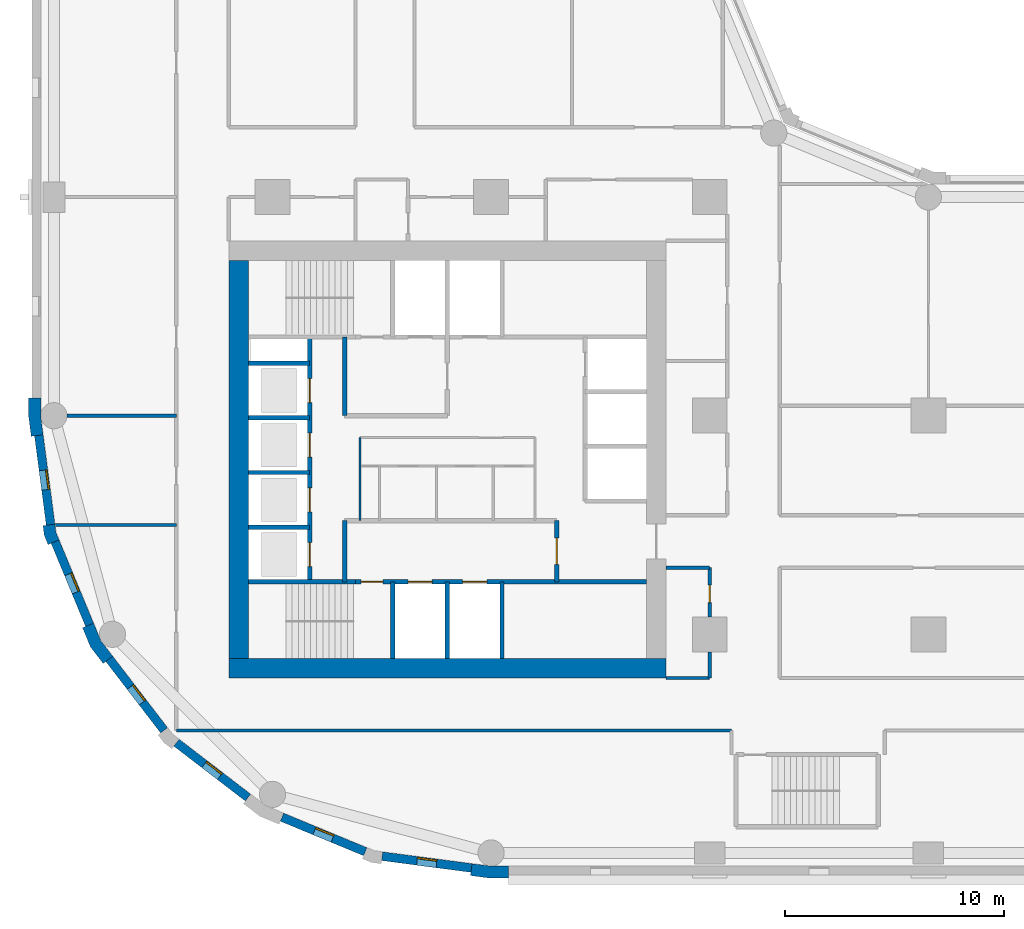
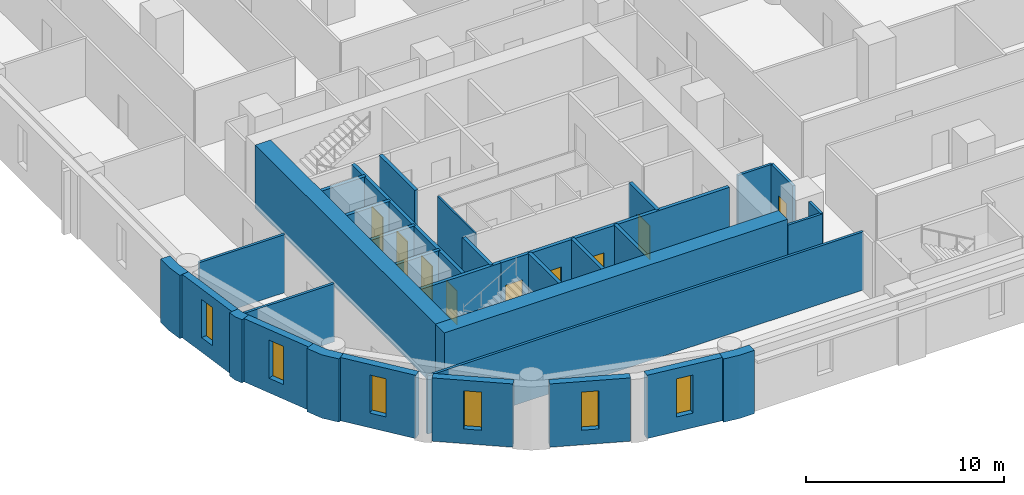
# One storey, part 2 of 10: 33 walls, 9 doors, 6 windows, 15 openings.
"""IFC4 building model written with IfcOpenShell, lengths in metres."""

from ifc_helpers import new_model, si_unit, direction, frame, frame_2d, origin, place, context, subcontext, project, spatial, polyline, rectangle, outline, extrude, material, layer, layer_set, type_object, element, fill, save


model = new_model("IFC4")

# Units and contexts
model_context = context("Model", 3, precision=1e-05, world=origin(), true_north=direction((0.0, 1.0)))
body_context = subcontext(model_context, "Body", "Model", "MODEL_VIEW")
ifc_project = project(units=[si_unit("LENGTHUNIT", "METRE"), si_unit("AREAUNIT", "SQUARE_METRE"), si_unit("VOLUMEUNIT", "CUBIC_METRE"), si_unit("PLANEANGLEUNIT", "RADIAN"), si_unit("MASSUNIT", "GRAM", prefix="KILO")], contexts=[model_context])

# Site, building, storey
site_placement = place(None, origin())
site = spatial("IfcSite", under=ifc_project, at=site_placement, CompositionType="ELEMENT")
building_placement = place(site_placement, origin())
building = spatial("IfcBuilding", under=site, at=building_placement, Name="Qaws Garden Tower", CompositionType="ELEMENT")
storey_placement = place(building_placement, frame((0.0, 0.0, 70.5)))
storey = spatial("IfcBuildingStorey", under=building, at=storey_placement, Name="L17", CompositionType="ELEMENT", Elevation=70.5)

# Wall, opening, window
ifc_material_1 = material(Name="Clay facing brick masonry", Category="masonry")
ifc_layer_1 = layer(ifc_material_1, 0.39990234375)
ifc_layer_set_1 = layer_set([ifc_layer_1], Name="Clay facing brick masonry")
wall_type_1 = type_object("IfcWallType", Name="Brick infill wall 400", PredefinedType="SOLIDWALL", material=ifc_layer_set_1)
wall_1_placement = place(storey_placement, frame((-0.688720703125, 19.102294921875, 0.0), z_axis=(0.0, 0.0, 1.0), x_axis=(0.130514280502, -0.991446429508, 0.0)))
wall_1 = element("IfcWall", 1, at=wall_1_placement, inside=storey, type_object=wall_type_1, Name="E-L17-infill-27", PredefinedType="SOLIDWALL", context=body_context, shape_type="SweptSolid", body=[
    extrude(rectangle(XDim=4.120849609375, YDim=0.39990234375, at=frame_2d((2.060546875, 0.0))), origin(), (0.0, 0.0, 1.0), 3.89990234375),
])
opening_1_placement = place(wall_1_placement, frame((1.610595703125, 0.0, 0.89990234375)))
opening_1 = element("IfcOpeningElement", 2, at=opening_1_placement, cuts=wall_1, Name="Opening W09", PredefinedType="OPENING", context=body_context, shape_type="SweptSolid", body=[
    extrude(rectangle(XDim=0.89990234375, YDim=2.35009765625, at=frame_2d((0.449951171875, 1.175048828125))), frame((0.0, 0.2099609375, 0.0), z_axis=(0.0, -1.0, 0.0), x_axis=(1.0, 0.0, 0.0)), (0.0, 0.0, 1.0), 0.419921875),
])
ifc_material_2 = material(Name="Aluminium framed window, clear glazing", Category="aluminium")
window_type = type_object("IfcWindowType", Name="Slit window 900 x 2350", PartitioningType="SINGLE_PANEL", PredefinedType="WINDOW", material=ifc_material_2)
window_1_placement = place(opening_1_placement, origin())
window_1 = element("IfcWindow", 3, at=window_1_placement, inside=storey, type_object=window_type, Name="E-L17-window-27-0", OverallHeight=2.35009765625, OverallWidth=0.89990234375, PartitioningType="SINGLE_PANEL", PredefinedType="WINDOW", context=body_context, shape_type="SweptSolid", body=[
    extrude(rectangle(XDim=0.89990234375, YDim=2.35009765625, at=frame_2d((0.449951171875, 1.175048828125))), frame((0.0, 0.159912109375, 0.0), z_axis=(0.0, -1.0, 0.0), x_axis=(1.0, 0.0, 0.0)), (0.0, 0.0, 1.0), 0.06005859375),
])
fill(opening_1, window_1)

wall_2_placement = place(storey_placement, frame((0.05712890625, 14.240234375, 0.0), z_axis=(0.0, 0.0, 1.0), x_axis=(0.382721546029, -0.923863744394, 0.0)))
wall_2 = element("IfcWall", 4, at=wall_2_placement, inside=storey, type_object=wall_type_1, Name="E-L17-infill-28", PredefinedType="SOLIDWALL", context=body_context, shape_type="SweptSolid", body=[
    extrude(rectangle(XDim=4.120849609375, YDim=0.39990234375, at=frame_2d((2.060546875, 0.0))), origin(), (0.0, 0.0, 1.0), 3.89990234375),
])
opening_2_placement = place(wall_2_placement, frame((1.610595703125, 0.0, 0.89990234375)))
opening_2 = element("IfcOpeningElement", 5, at=opening_2_placement, cuts=wall_2, Name="Opening W09", PredefinedType="OPENING", context=body_context, shape_type="SweptSolid", body=[
    extrude(rectangle(XDim=0.89990234375, YDim=2.35009765625, at=frame_2d((0.449951171875, 1.175048828125))), frame((0.0, 0.2099609375, 0.0), z_axis=(0.0, -1.0, 0.0), x_axis=(1.0, 0.0, 0.0)), (0.0, 0.0, 1.0), 0.419921875),
])
window_2_placement = place(opening_2_placement, origin())
window_2 = element("IfcWindow", 6, at=window_2_placement, inside=storey, type_object=window_type, Name="E-L17-window-28-0", OverallHeight=2.35009765625, OverallWidth=0.89990234375, PartitioningType="SINGLE_PANEL", PredefinedType="WINDOW", context=body_context, shape_type="SweptSolid", body=[
    extrude(rectangle(XDim=0.89990234375, YDim=2.35009765625, at=frame_2d((0.449951171875, 1.175048828125))), frame((0.0, 0.159912109375, 0.0), z_axis=(0.0, -1.0, 0.0), x_axis=(1.0, 0.0, 0.0)), (0.0, 0.0, 1.0), 0.06005859375),
])
fill(opening_2, window_2)

wall_3_placement = place(storey_placement, frame((2.53173828125, 8.87841796875, 0.0), z_axis=(0.0, 0.0, 1.0), x_axis=(0.608759824817, -0.793354571229, 0.0)))
wall_3 = element("IfcWall", 7, at=wall_3_placement, inside=storey, type_object=wall_type_1, Name="E-L17-infill-29", PredefinedType="SOLIDWALL", context=body_context, shape_type="SweptSolid", body=[
    extrude(rectangle(XDim=4.12109375, YDim=0.39990234375, at=frame_2d((2.060546875, 0.0))), origin(), (0.0, 0.0, 1.0), 3.89990234375),
])
opening_3_placement = place(wall_3_placement, frame((1.610595703125, 0.0, 0.89990234375)))
opening_3 = element("IfcOpeningElement", 8, at=opening_3_placement, cuts=wall_3, Name="Opening W09", PredefinedType="OPENING", context=body_context, shape_type="SweptSolid", body=[
    extrude(rectangle(XDim=0.89990234375, YDim=2.35009765625, at=frame_2d((0.449951171875, 1.175048828125))), frame((0.0, 0.2099609375, 0.0), z_axis=(0.0, -1.0, 0.0), x_axis=(1.0, 0.0, 0.0)), (0.0, 0.0, 1.0), 0.419921875),
])
window_3_placement = place(opening_3_placement, origin())
window_3 = element("IfcWindow", 9, at=window_3_placement, inside=storey, type_object=window_type, Name="E-L17-window-29-0", OverallHeight=2.35009765625, OverallWidth=0.89990234375, PartitioningType="SINGLE_PANEL", PredefinedType="WINDOW", context=body_context, shape_type="SweptSolid", body=[
    extrude(rectangle(XDim=0.89990234375, YDim=2.35009765625, at=frame_2d((0.449951171875, 1.175048828125))), frame((0.0, 0.159912109375, 0.0), z_axis=(0.0, -1.0, 0.0), x_axis=(1.0, 0.0, 0.0)), (0.0, 0.0, 1.0), 0.06005859375),
])
fill(opening_3, window_3)

wall_4_placement = place(storey_placement, frame((5.60888671875, 5.04052734375, 0.0), z_axis=(0.0, 0.0, 1.0), x_axis=(0.793354571229, -0.608759824817, 0.0)))
wall_4 = element("IfcWall", 10, at=wall_4_placement, inside=storey, type_object=wall_type_1, Name="E-L17-infill-30", PredefinedType="SOLIDWALL", context=body_context, shape_type="SweptSolid", body=[
    extrude(rectangle(XDim=4.12109375, YDim=0.39990234375, at=frame_2d((2.060546875, 0.0))), origin(), (0.0, 0.0, 1.0), 3.89990234375),
])
opening_4_placement = place(wall_4_placement, frame((1.610595703125, 0.0, 0.89990234375)))
opening_4 = element("IfcOpeningElement", 11, at=opening_4_placement, cuts=wall_4, Name="Opening W09", PredefinedType="OPENING", context=body_context, shape_type="SweptSolid", body=[
    extrude(rectangle(XDim=0.89990234375, YDim=2.35009765625, at=frame_2d((0.449951171875, 1.175048828125))), frame((0.0, 0.2099609375, 0.0), z_axis=(0.0, -1.0, 0.0), x_axis=(1.0, 0.0, 0.0)), (0.0, 0.0, 1.0), 0.419921875),
])
window_4_placement = place(opening_4_placement, origin())
window_4 = element("IfcWindow", 12, at=window_4_placement, inside=storey, type_object=window_type, Name="E-L17-window-30-0", OverallHeight=2.35009765625, OverallWidth=0.89990234375, PartitioningType="SINGLE_PANEL", PredefinedType="WINDOW", context=body_context, shape_type="SweptSolid", body=[
    extrude(rectangle(XDim=0.89990234375, YDim=2.35009765625, at=frame_2d((0.449951171875, 1.175048828125))), frame((0.0, 0.159912109375, 0.0), z_axis=(0.0, -1.0, 0.0), x_axis=(1.0, 0.0, 0.0)), (0.0, 0.0, 1.0), 0.06005859375),
])
fill(opening_4, window_4)

wall_5_placement = place(storey_placement, frame((10.43310546875, 1.63427734375, 0.0), z_axis=(0.0, 0.0, 1.0), x_axis=(0.923863744394, -0.382721546029, 0.0)))
wall_5 = element("IfcWall", 13, at=wall_5_placement, inside=storey, type_object=wall_type_1, Name="E-L17-infill-31", PredefinedType="SOLIDWALL", context=body_context, shape_type="SweptSolid", body=[
    extrude(rectangle(XDim=4.120849609375, YDim=0.39990234375, at=frame_2d((2.060546875, 0.0))), origin(), (0.0, 0.0, 1.0), 3.89990234375),
])
opening_5_placement = place(wall_5_placement, frame((1.610595703125, 0.0, 0.89990234375)))
opening_5 = element("IfcOpeningElement", 14, at=opening_5_placement, cuts=wall_5, Name="Opening W09", PredefinedType="OPENING", context=body_context, shape_type="SweptSolid", body=[
    extrude(rectangle(XDim=0.89990234375, YDim=2.35009765625, at=frame_2d((0.449951171875, 1.175048828125))), frame((0.0, 0.2099609375, 0.0), z_axis=(0.0, -1.0, 0.0), x_axis=(1.0, 0.0, 0.0)), (0.0, 0.0, 1.0), 0.419921875),
])
window_5_placement = place(opening_5_placement, origin())
window_5 = element("IfcWindow", 15, at=window_5_placement, inside=storey, type_object=window_type, Name="E-L17-window-31-0", OverallHeight=2.35009765625, OverallWidth=0.89990234375, PartitioningType="SINGLE_PANEL", PredefinedType="WINDOW", context=body_context, shape_type="SweptSolid", body=[
    extrude(rectangle(XDim=0.89990234375, YDim=2.35009765625, at=frame_2d((0.449951171875, 1.175048828125))), frame((0.0, 0.159912109375, 0.0), z_axis=(0.0, -1.0, 0.0), x_axis=(1.0, 0.0, 0.0)), (0.0, 0.0, 1.0), 0.06005859375),
])
fill(opening_5, window_5)

wall_6_placement = place(storey_placement, frame((15.0166015625, -0.15087890625, 0.0), z_axis=(0.0, 0.0, 1.0), x_axis=(0.991446429508, -0.130514280502, 0.0)))
wall_6 = element("IfcWall", 16, at=wall_6_placement, inside=storey, type_object=wall_type_1, Name="E-L17-infill-32", PredefinedType="SOLIDWALL", context=body_context, shape_type="SweptSolid", body=[
    extrude(rectangle(XDim=4.120849609375, YDim=0.39990234375, at=frame_2d((2.060546875, 0.0))), origin(), (0.0, 0.0, 1.0), 3.89990234375),
])
opening_6_placement = place(wall_6_placement, frame((1.610595703125, 0.0, 0.89990234375)))
opening_6 = element("IfcOpeningElement", 17, at=opening_6_placement, cuts=wall_6, Name="Opening W09", PredefinedType="OPENING", context=body_context, shape_type="SweptSolid", body=[
    extrude(rectangle(XDim=0.89990234375, YDim=2.35009765625, at=frame_2d((0.449951171875, 1.175048828125))), frame((0.0, 0.2099609375, 0.0), z_axis=(0.0, -1.0, 0.0), x_axis=(1.0, 0.0, 0.0)), (0.0, 0.0, 1.0), 0.419921875),
])
window_6_placement = place(opening_6_placement, origin())
window_6 = element("IfcWindow", 18, at=window_6_placement, inside=storey, type_object=window_type, Name="E-L17-window-32-0", OverallHeight=2.35009765625, OverallWidth=0.89990234375, PartitioningType="SINGLE_PANEL", PredefinedType="WINDOW", context=body_context, shape_type="SweptSolid", body=[
    extrude(rectangle(XDim=0.89990234375, YDim=2.35009765625, at=frame_2d((0.449951171875, 1.175048828125))), frame((0.0, 0.159912109375, 0.0), z_axis=(0.0, -1.0, 0.0), x_axis=(1.0, 0.0, 0.0)), (0.0, 0.0, 1.0), 0.06005859375),
])
fill(opening_6, window_6)

# Walls
ifc_material_3 = material(Name="Clay facing brick masonry", Category="masonry")
ifc_layer_2 = layer(ifc_material_3, 0.550048828125)
ifc_layer_set_2 = layer_set([ifc_layer_2], Name="Clay facing brick masonry")
wall_type_2 = type_object("IfcWallType", Name="Brick kink pier 550 x 600", PredefinedType="SOLIDWALL", material=ifc_layer_set_2)
placement = place(storey_placement, origin())
element("IfcWall", 19, at=placement, inside=storey, type_object=wall_type_2, Name="E-L17-pier-28", PredefinedType="SOLIDWALL", context=body_context, shape_type="SweptSolid", body=[
    extrude(outline(polyline([(-0.34912109375, 14.990478515625), (-0.497802734375, 14.970947265625), (-0.43896484375, 14.5234375), (-0.26611328125, 14.1064453125), (-0.127685546875, 14.163818359375), (0.241943359375, 14.31689453125), (0.096923828125, 14.6669921875), (0.04736328125, 15.042724609375), (-0.34912109375, 14.990478515625)])), origin(), (0.0, 0.0, 1.0), 3.89990234375),
])
ifc_material_4 = material(Name="Clay facing brick masonry", Category="masonry")
ifc_layer_3 = layer(ifc_material_4, 0.550048828125)
ifc_layer_set_3 = layer_set([ifc_layer_3], Name="Clay facing brick masonry")
wall_type_3 = type_object("IfcWallType", Name="Brick pier 550 x 1600", PredefinedType="SOLIDWALL", material=ifc_layer_set_3)
element("IfcWall", 20, at=placement, inside=storey, type_object=wall_type_3, Name="E-L17-pier-00", PredefinedType="SOLIDWALL", context=body_context, shape_type="SweptSolid", body=[
    extrude(outline(polyline([(19.076416015625, -0.886962890625), (19.056640625, -1.03564453125), (19.924560546875, -1.14990234375), (20.800048828125, -1.14990234375), (20.800048828125, -1.0), (20.800048828125, -0.60009765625), (19.960693359375, -0.60009765625), (19.12841796875, -0.490478515625), (19.076416015625, -0.886962890625)])), origin(), (0.0, 0.0, 1.0), 3.89990234375),
])
element("IfcWall", 21, at=placement, inside=storey, type_object=wall_type_3, Name="E-L17-pier-27", PredefinedType="SOLIDWALL", context=body_context, shape_type="SweptSolid", body=[
    extrude(outline(polyline([(-1.0, 20.800048828125), (-1.14990234375, 20.800048828125), (-1.14990234375, 19.924560546875), (-1.03564453125, 19.056640625), (-0.886962890625, 19.076416015625), (-0.490478515625, 19.12841796875), (-0.60009765625, 19.960693359375), (-0.60009765625, 20.800048828125), (-1.0, 20.800048828125)])), origin(), (0.0, 0.0, 1.0), 3.89990234375),
])
element("IfcWall", 22, at=placement, inside=storey, type_object=wall_type_3, Name="E-L17-pier-29", PredefinedType="SOLIDWALL", context=body_context, shape_type="SweptSolid", body=[
    extrude(outline(polyline([(1.449462890625, 10.3564453125), (1.310791015625, 10.299072265625), (1.675048828125, 9.419921875), (2.254150390625, 8.665283203125), (2.373046875, 8.756591796875), (2.6904296875, 9.0), (2.1552734375, 9.697509765625), (1.819091796875, 10.509521484375), (1.449462890625, 10.3564453125)])), origin(), (0.0, 0.0, 1.0), 3.89990234375),
])
ifc_material_5 = material(Name="Plasterboard")
ifc_layer_4 = layer(ifc_material_5, 0.10009765625)
ifc_layer_set_4 = layer_set([ifc_layer_4], Name="Plasterboard")
wall_type_4 = type_object("IfcWallType", Name="Core partition 100", PredefinedType="PARTITIONING", material=ifc_layer_set_4)
wall_11_placement = place(storey_placement, frame((14.0, 15.199951171875, 0.0), z_axis=(0.0, 0.0, 1.0), x_axis=(0.0, 1.0, 0.0)))
element("IfcWall", 23, at=wall_11_placement, inside=storey, type_object=wall_type_4, Name="Core partition", PredefinedType="PARTITIONING", context=body_context, shape_type="SweptSolid", body=[
    extrude(rectangle(XDim=3.800048828125, YDim=0.10009765625, at=frame_2d((1.89990234375, 0.0))), origin(), (0.0, 0.0, 1.0), 3.580078125),
])
ifc_material_6 = material(Name="Concrete C80", Category="concrete")
ifc_layer_5 = layer(ifc_material_6, 0.199951171875)
ifc_layer_set_5 = layer_set([ifc_layer_5], Name="Concrete C80")
wall_type_5 = type_object("IfcWallType", Name="Core shaft wall 200 C80", PredefinedType="SHEAR", material=ifc_layer_set_5)
wall_12_placement = place(storey_placement, frame((8.89990234375, 12.39990234375, 0.0), z_axis=(0.0, 0.0, 1.0), x_axis=(1.0, 0.0, 0.0)))
element("IfcWall", 24, at=wall_12_placement, inside=storey, type_object=wall_type_5, Name="Shaft wall", PredefinedType="SHEAR", context=body_context, shape_type="SweptSolid", body=[
    extrude(rectangle(XDim=4.900146484375, YDim=0.199951171875, at=frame_2d((2.4501953125, 0.0))), origin(), (0.0, 0.0, 1.0), 3.580078125),
])

# Wall, openings, doors
wall_13_placement = place(storey_placement, frame((13.800048828125, 12.39990234375, 0.0), z_axis=(0.0, 0.0, 1.0), x_axis=(1.0, 0.0, 0.0)))
wall_13 = element("IfcWall", 25, at=wall_13_placement, inside=storey, type_object=wall_type_5, Name="Shaft wall", PredefinedType="SHEAR", context=body_context, shape_type="SweptSolid", body=[
    extrude(rectangle(XDim=13.300048828125, YDim=0.199951171875, at=frame_2d((6.64990234375, 0.0))), origin(), (0.0, 0.0, 1.0), 3.580078125),
])
opening_7_placement = place(wall_13_placement, frame((2.39990234375, 0.0, 0.0)))
opening_7 = element("IfcOpeningElement", 26, at=opening_7_placement, cuts=wall_13, Name="Opening LD06", PredefinedType="OPENING", context=body_context, shape_type="SweptSolid", body=[
    extrude(rectangle(XDim=1.10009765625, YDim=2.10009765625, at=frame_2d((0.550048828125, 1.050048828125))), frame((0.0, 0.10986328125, 0.0), z_axis=(0.0, -1.0, 0.0), x_axis=(1.0, 0.0, 0.0)), (0.0, 0.0, 1.0), 0.219970703125),
])
opening_8_placement = place(wall_13_placement, frame((4.89990234375, 0.0, 0.0)))
opening_8 = element("IfcOpeningElement", 27, at=opening_8_placement, cuts=wall_13, Name="Opening LD07", PredefinedType="OPENING", context=body_context, shape_type="SweptSolid", body=[
    extrude(rectangle(XDim=1.10009765625, YDim=2.10009765625, at=frame_2d((0.550048828125, 1.050048828125))), frame((0.0, 0.10986328125, 0.0), z_axis=(0.0, -1.0, 0.0), x_axis=(1.0, 0.0, 0.0)), (0.0, 0.0, 1.0), 0.219970703125),
])
opening_9_placement = place(wall_13_placement, frame((0.25, 0.0, 0.0)))
opening_9 = element("IfcOpeningElement", 28, at=opening_9_placement, cuts=wall_13, Name="Opening SD10", PredefinedType="OPENING", context=body_context, shape_type="SweptSolid", body=[
    extrude(rectangle(XDim=1.0, YDim=2.10009765625, at=frame_2d((0.5, 1.050048828125))), frame((0.0, 0.10986328125, 0.0), z_axis=(0.0, -1.0, 0.0), x_axis=(1.0, 0.0, 0.0)), (0.0, 0.0, 1.0), 0.219970703125),
])
ifc_material_7 = material(Name="Steel S235", Category="steel")
door_type_1 = type_object("IfcDoorType", Name="Landing door 1100x2100", OperationType="DOUBLE_DOOR_SLIDING", PredefinedType="DOOR", material=ifc_material_7)
door_1_placement = place(opening_7_placement, origin())
door_1 = element("IfcDoor", 29, at=door_1_placement, inside=storey, type_object=door_type_1, Name="Lift FF1 landing door", OperationType="DOUBLE_DOOR_SLIDING", OverallHeight=2.10009765625, OverallWidth=1.10009765625, PredefinedType="DOOR", context=body_context, shape_type="SweptSolid", body=[
    extrude(rectangle(XDim=1.10009765625, YDim=2.10009765625, at=frame_2d((0.550048828125, 1.050048828125))), frame((0.0, 0.02490234375, 0.0), z_axis=(0.0, -1.0, 0.0), x_axis=(1.0, 0.0, 0.0)), (0.0, 0.0, 1.0), 0.050048828125),
])
fill(opening_7, door_1)
door_2_placement = place(opening_8_placement, origin())
door_2 = element("IfcDoor", 30, at=door_2_placement, inside=storey, type_object=door_type_1, Name="Lift FF2 landing door", OperationType="DOUBLE_DOOR_SLIDING", OverallHeight=2.10009765625, OverallWidth=1.10009765625, PredefinedType="DOOR", context=body_context, shape_type="SweptSolid", body=[
    extrude(rectangle(XDim=1.10009765625, YDim=2.10009765625, at=frame_2d((0.550048828125, 1.050048828125))), frame((0.0, 0.02490234375, 0.0), z_axis=(0.0, -1.0, 0.0), x_axis=(1.0, 0.0, 0.0)), (0.0, 0.0, 1.0), 0.050048828125),
])
fill(opening_8, door_2)
ifc_material_8 = material(Name="Steel S235", Category="steel")
door_type_2 = type_object("IfcDoorType", Name="Stair door 1000x2100", OperationType="SINGLE_SWING_RIGHT", PredefinedType="DOOR", material=ifc_material_8)
door_3_placement = place(opening_9_placement, frame((1.0, 0.0, 0.0), z_axis=(0.0, 0.0, 1.0), x_axis=(-1.0, 0.0, 0.0)))
door_3 = element("IfcDoor", 31, at=door_3_placement, inside=storey, type_object=door_type_2, Name="Stair 1 door", OperationType="SINGLE_SWING_LEFT", OverallHeight=2.10009765625, OverallWidth=1.0, PredefinedType="DOOR", context=body_context, shape_type="SweptSolid", body=[
    extrude(rectangle(XDim=1.0, YDim=2.10009765625, at=frame_2d((0.5, 1.050048828125))), frame((0.0, 0.02490234375, 0.0), z_axis=(0.0, -1.0, 0.0), x_axis=(1.0, 0.0, 0.0)), (0.0, 0.0, 1.0), 0.050048828125),
])
fill(opening_9, door_3)

# Walls
for number, where, z_axis, x_axis, name in (
    (32, (8.89990234375, 14.89990234375, 0.0), (0.0, 0.0, 1.0), (1.0, 0.0, 0.0), "Shaft wall"),
    (33, (8.89990234375, 17.39990234375, 0.0), (0.0, 0.0, 1.0), (1.0, 0.0, 0.0), "Shaft wall"),
    (34, (8.89990234375, 19.89990234375, 0.0), (0.0, 0.0, 1.0), (1.0, 0.0, 0.0), "Shaft wall"),
    (35, (8.89990234375, 22.39990234375, 0.0), (0.0, 0.0, 1.0), (1.0, 0.0, 0.0), "Shaft wall"),
):
    element("IfcWall", number, at=place(storey_placement, frame(where, z_axis=z_axis, x_axis=x_axis)), inside=storey, type_object=wall_type_5, Name=name, PredefinedType="SHEAR", context=body_context, shape_type="SweptSolid", body=[
        extrude(rectangle(XDim=2.800048828125, YDim=0.199951171875, at=frame_2d((1.39990234375, 0.0))), origin(), (0.0, 0.0, 1.0), 3.580078125),
    ])

# Wall, openings, doors
wall_14_placement = place(storey_placement, frame((11.699951171875, 12.39990234375, 0.0), z_axis=(0.0, 0.0, 1.0), x_axis=(0.0, 1.0, 0.0)))
wall_14 = element("IfcWall", 36, at=wall_14_placement, inside=storey, type_object=wall_type_5, Name="Shaft wall", PredefinedType="SHEAR", context=body_context, shape_type="SweptSolid", body=[
    extrude(rectangle(XDim=11.2001953125, YDim=0.199951171875, at=frame_2d((5.60009765625, 0.0))), origin(), (0.0, 0.0, 1.0), 3.580078125),
])
opening_10_placement = place(wall_14_placement, frame((0.699951171875, 0.0, 0.0)))
opening_10 = element("IfcOpeningElement", 37, at=opening_10_placement, cuts=wall_14, Name="Opening LD01", PredefinedType="OPENING", context=body_context, shape_type="SweptSolid", body=[
    extrude(rectangle(XDim=1.10009765625, YDim=2.10009765625, at=frame_2d((0.550048828125, 1.050048828125))), frame((0.0, 0.10986328125, 0.0), z_axis=(0.0, -1.0, 0.0), x_axis=(1.0, 0.0, 0.0)), (0.0, 0.0, 1.0), 0.219970703125),
])
opening_11_placement = place(wall_14_placement, frame((3.199951171875, 0.0, 0.0)))
opening_11 = element("IfcOpeningElement", 38, at=opening_11_placement, cuts=wall_14, Name="Opening LD02", PredefinedType="OPENING", context=body_context, shape_type="SweptSolid", body=[
    extrude(rectangle(XDim=1.10009765625, YDim=2.10009765625, at=frame_2d((0.550048828125, 1.050048828125))), frame((0.0, 0.10986328125, 0.0), z_axis=(0.0, -1.0, 0.0), x_axis=(1.0, 0.0, 0.0)), (0.0, 0.0, 1.0), 0.219970703125),
])
opening_12_placement = place(wall_14_placement, frame((5.699951171875, 0.0, 0.0)))
opening_12 = element("IfcOpeningElement", 39, at=opening_12_placement, cuts=wall_14, Name="Opening LD03", PredefinedType="OPENING", context=body_context, shape_type="SweptSolid", body=[
    extrude(rectangle(XDim=1.10009765625, YDim=2.10009765625, at=frame_2d((0.550048828125, 1.050048828125))), frame((0.0, 0.10986328125, 0.0), z_axis=(0.0, -1.0, 0.0), x_axis=(1.0, 0.0, 0.0)), (0.0, 0.0, 1.0), 0.219970703125),
])
opening_13_placement = place(wall_14_placement, frame((8.199951171875, 0.0, 0.0)))
opening_13 = element("IfcOpeningElement", 40, at=opening_13_placement, cuts=wall_14, Name="Opening LD04", PredefinedType="OPENING", context=body_context, shape_type="SweptSolid", body=[
    extrude(rectangle(XDim=1.10009765625, YDim=2.10009765625, at=frame_2d((0.550048828125, 1.050048828125))), frame((0.0, 0.10986328125, 0.0), z_axis=(0.0, -1.0, 0.0), x_axis=(1.0, 0.0, 0.0)), (0.0, 0.0, 1.0), 0.219970703125),
])
door_4_placement = place(opening_10_placement, origin())
door_4 = element("IfcDoor", 41, at=door_4_placement, inside=storey, type_object=door_type_1, Name="Lift W1 landing door", OperationType="DOUBLE_DOOR_SLIDING", OverallHeight=2.10009765625, OverallWidth=1.10009765625, PredefinedType="DOOR", context=body_context, shape_type="SweptSolid", body=[
    extrude(rectangle(XDim=1.10009765625, YDim=2.10009765625, at=frame_2d((0.550048828125, 1.050048828125))), frame((0.0, 0.02490234375, 0.0), z_axis=(0.0, -1.0, 0.0), x_axis=(1.0, 0.0, 0.0)), (0.0, 0.0, 1.0), 0.050048828125),
])
fill(opening_10, door_4)
door_5_placement = place(opening_11_placement, origin())
door_5 = element("IfcDoor", 42, at=door_5_placement, inside=storey, type_object=door_type_1, Name="Lift W2 landing door", OperationType="DOUBLE_DOOR_SLIDING", OverallHeight=2.10009765625, OverallWidth=1.10009765625, PredefinedType="DOOR", context=body_context, shape_type="SweptSolid", body=[
    extrude(rectangle(XDim=1.10009765625, YDim=2.10009765625, at=frame_2d((0.550048828125, 1.050048828125))), frame((0.0, 0.02490234375, 0.0), z_axis=(0.0, -1.0, 0.0), x_axis=(1.0, 0.0, 0.0)), (0.0, 0.0, 1.0), 0.050048828125),
])
fill(opening_11, door_5)
door_6_placement = place(opening_12_placement, origin())
door_6 = element("IfcDoor", 43, at=door_6_placement, inside=storey, type_object=door_type_1, Name="Lift W3 landing door", OperationType="DOUBLE_DOOR_SLIDING", OverallHeight=2.10009765625, OverallWidth=1.10009765625, PredefinedType="DOOR", context=body_context, shape_type="SweptSolid", body=[
    extrude(rectangle(XDim=1.10009765625, YDim=2.10009765625, at=frame_2d((0.550048828125, 1.050048828125))), frame((0.0, 0.02490234375, 0.0), z_axis=(0.0, -1.0, 0.0), x_axis=(1.0, 0.0, 0.0)), (0.0, 0.0, 1.0), 0.050048828125),
])
fill(opening_12, door_6)
door_7_placement = place(opening_13_placement, origin())
door_7 = element("IfcDoor", 44, at=door_7_placement, inside=storey, type_object=door_type_1, Name="Lift W4 landing door", OperationType="DOUBLE_DOOR_SLIDING", OverallHeight=2.10009765625, OverallWidth=1.10009765625, PredefinedType="DOOR", context=body_context, shape_type="SweptSolid", body=[
    extrude(rectangle(XDim=1.10009765625, YDim=2.10009765625, at=frame_2d((0.550048828125, 1.050048828125))), frame((0.0, 0.02490234375, 0.0), z_axis=(0.0, -1.0, 0.0), x_axis=(1.0, 0.0, 0.0)), (0.0, 0.0, 1.0), 0.050048828125),
])
fill(opening_13, door_7)

# Walls
wall_15_placement = place(storey_placement, frame((13.300048828125, 12.39990234375, 0.0), z_axis=(0.0, 0.0, 1.0), x_axis=(0.0, 1.0, 0.0)))
element("IfcWall", 45, at=wall_15_placement, inside=storey, type_object=wall_type_5, Name="Shaft wall", PredefinedType="SHEAR", context=body_context, shape_type="SweptSolid", body=[
    extrude(rectangle(XDim=2.800048828125, YDim=0.199951171875, at=frame_2d((1.39990234375, 0.0))), origin(), (0.0, 0.0, 1.0), 3.580078125),
])
wall_16_placement = place(storey_placement, frame((13.300048828125, 20.0, 0.0), z_axis=(0.0, 0.0, 1.0), x_axis=(0.0, 1.0, 0.0)))
element("IfcWall", 46, at=wall_16_placement, inside=storey, type_object=wall_type_5, Name="Shaft wall", PredefinedType="SHEAR", context=body_context, shape_type="SweptSolid", body=[
    extrude(rectangle(XDim=3.60009765625, YDim=0.199951171875, at=frame_2d((1.800048828125, 0.0))), origin(), (0.0, 0.0, 1.0), 3.580078125),
])
for number, where, z_axis, x_axis, name in (
    (47, (15.5, 8.89990234375, 0.0), (0.0, 0.0, 1.0), (0.0, 1.0, 0.0), "Shaft wall"),
    (48, (18.0, 8.89990234375, 0.0), (0.0, 0.0, 1.0), (0.0, 1.0, 0.0), "Shaft wall"),
    (49, (20.5, 8.89990234375, 0.0), (0.0, 0.0, 1.0), (0.0, 1.0, 0.0), "Shaft wall"),
):
    element("IfcWall", number, at=place(storey_placement, frame(where, z_axis=z_axis, x_axis=x_axis)), inside=storey, type_object=wall_type_5, Name=name, PredefinedType="SHEAR", context=body_context, shape_type="SweptSolid", body=[
        extrude(rectangle(XDim=3.5, YDim=0.199951171875, at=frame_2d((1.75, 0.0))), origin(), (0.0, 0.0, 1.0), 3.580078125),
    ])

# Wall, opening, door
wall_17_placement = place(storey_placement, frame((23.0, 12.39990234375, 0.0), z_axis=(0.0, 0.0, 1.0), x_axis=(0.0, 1.0, 0.0)))
wall_17 = element("IfcWall", 50, at=wall_17_placement, inside=storey, type_object=wall_type_5, Name="Shaft wall", PredefinedType="SHEAR", context=body_context, shape_type="SweptSolid", body=[
    extrude(rectangle(XDim=2.800048828125, YDim=0.199951171875, at=frame_2d((1.39990234375, 0.0))), origin(), (0.0, 0.0, 1.0), 3.580078125),
])
opening_14_placement = place(wall_17_placement, frame((0.800048828125, 0.0, 0.0)))
opening_14 = element("IfcOpeningElement", 51, at=opening_14_placement, cuts=wall_17, Name="Opening FD15", PredefinedType="OPENING", context=body_context, shape_type="SweptSolid", body=[
    extrude(rectangle(XDim=1.199951171875, YDim=2.10009765625, at=frame_2d((0.60009765625, 1.050048828125))), frame((0.0, 0.10986328125, 0.0), z_axis=(0.0, -1.0, 0.0), x_axis=(1.0, 0.0, 0.0)), (0.0, 0.0, 1.0), 0.219970703125),
])
ifc_material_9 = material(Name="Steel S235", Category="steel")
door_type_3 = type_object("IfcDoorType", Name="Lobby door 1200x2100", OperationType="DOUBLE_DOOR_SINGLE_SWING", PredefinedType="DOOR", material=ifc_material_9)
door_8_placement = place(opening_14_placement, origin())
door_8 = element("IfcDoor", 52, at=door_8_placement, inside=storey, type_object=door_type_3, Name="Fire-fighting lobby door", OperationType="DOUBLE_DOOR_SINGLE_SWING", OverallHeight=2.10009765625, OverallWidth=1.199951171875, PredefinedType="DOOR", context=body_context, shape_type="SweptSolid", body=[
    extrude(rectangle(XDim=1.199951171875, YDim=2.10009765625, at=frame_2d((0.60009765625, 1.050048828125))), frame((0.0, 0.02490234375, 0.0), z_axis=(0.0, -1.0, 0.0), x_axis=(1.0, 0.0, 0.0)), (0.0, 0.0, 1.0), 0.050048828125),
])
fill(opening_14, door_8)

# Walls
ifc_material_10 = material(Name="Concrete C80", Category="concrete")
ifc_layer_6 = layer(ifc_material_10, 0.89990234375)
ifc_layer_set_6 = layer_set([ifc_layer_6], Name="Concrete C80")
wall_type_6 = type_object("IfcWallType", Name="Core wall 900 C80", PredefinedType="SHEAR", material=ifc_layer_set_6)
wall_18_placement = place(storey_placement, frame((8.0, 8.449951171875, 0.0), z_axis=(0.0, 0.0, 1.0), x_axis=(1.0, 0.0, 0.0)))
element("IfcWall", 53, at=wall_18_placement, inside=storey, type_object=wall_type_6, Name="Core wall L17 south", PredefinedType="SHEAR", context=body_context, shape_type="SweptSolid", body=[
    extrude(rectangle(XDim=20.0, YDim=0.89990234375, at=frame_2d((10.0, 0.0))), origin(), (0.0, 0.0, 1.0), 3.89990234375),
])
wall_19_placement = place(storey_placement, frame((8.449951171875, 27.10009765625, 0.0), z_axis=(0.0, 0.0, 1.0), x_axis=(0.0, -1.0, 0.0)))
element("IfcWall", 54, at=wall_19_placement, inside=storey, type_object=wall_type_6, Name="Core wall L17 west", PredefinedType="SHEAR", context=body_context, shape_type="SweptSolid", body=[
    extrude(rectangle(XDim=18.2001953125, YDim=0.89990234375, at=frame_2d((9.10009765625, 0.0))), origin(), (0.0, 0.0, 1.0), 3.89990234375),
])
ifc_material_11 = material(Name="Gypsum board partition")
ifc_layer_7 = layer(ifc_material_11, 0.14990234375)
ifc_layer_set_7 = layer_set([ifc_layer_7], Name="Gypsum board partition")
wall_type_7 = type_object("IfcWallType", Name="PARTITION 150 EI 60", PredefinedType="PARTITIONING", material=ifc_layer_set_7)
wall_20_placement = place(storey_placement, frame((30.0, 8.0, 0.0), z_axis=(0.0, 0.0, 1.0), x_axis=(0.0, 1.0, 0.0)))
element("IfcWall", 55, at=wall_20_placement, inside=storey, type_object=wall_type_7, Name="O-L17-wall-016", PredefinedType="PARTITIONING", context=body_context, shape_type="SweptSolid", body=[
    extrude(rectangle(XDim=1.199951171875, YDim=0.14990234375, at=frame_2d((0.60009765625, 0.0))), origin(), (0.0, 0.0, 1.0), 3.580078125),
])

# Wall, opening, door
wall_21_placement = place(storey_placement, frame((30.0, 10.800048828125, 0.0), z_axis=(0.0, 0.0, 1.0), x_axis=(0.0, 1.0, 0.0)))
wall_21 = element("IfcWall", 56, at=wall_21_placement, inside=storey, type_object=wall_type_7, Name="O-L17-wall-017", PredefinedType="PARTITIONING", context=body_context, shape_type="SweptSolid", body=[
    extrude(rectangle(XDim=2.25, YDim=0.14990234375, at=frame_2d((1.125, 0.0))), origin(), (0.0, 0.0, 1.0), 3.580078125),
])
opening_15_placement = place(wall_21_placement, frame((0.64990234375, 0.0, 0.0)))
opening_15 = element("IfcOpeningElement", 57, at=opening_15_placement, cuts=wall_21, Name="Opening A606", PredefinedType="OPENING", context=body_context, shape_type="SweptSolid", body=[
    extrude(rectangle(XDim=0.800048828125, YDim=2.10009765625, at=frame_2d((0.39990234375, 1.050048828125))), frame((0.0, 0.0849609375, 0.0), z_axis=(0.0, -1.0, 0.0), x_axis=(1.0, 0.0, 0.0)), (0.0, 0.0, 1.0), 0.169921875),
])
ifc_material_12 = material(Name="Timber door leaf", Category="wood")
door_type_4 = type_object("IfcDoorType", Name="STORE DOOR 800 X 2100", OperationType="SINGLE_SWING_LEFT", PredefinedType="DOOR", material=ifc_material_12)
door_9_placement = place(opening_15_placement, origin())
door_9 = element("IfcDoor", 58, at=door_9_placement, inside=storey, type_object=door_type_4, Name="O-L17-door-006", OperationType="SINGLE_SWING_LEFT", OverallHeight=2.10009765625, OverallWidth=0.800048828125, PredefinedType="DOOR", context=body_context, shape_type="SweptSolid", body=[
    extrude(rectangle(XDim=0.800048828125, YDim=2.10009765625, at=frame_2d((0.39990234375, 1.050048828125))), frame((0.0, 0.02490234375, 0.0), z_axis=(0.0, -1.0, 0.0), x_axis=(1.0, 0.0, 0.0)), (0.0, 0.0, 1.0), 0.050048828125),
])
fill(opening_15, door_9)

# Walls
wall_22_placement = place(storey_placement, frame((5.60009765625, 5.60009765625, 0.0), z_axis=(0.0, 0.0, 1.0), x_axis=(1.0, 0.0, 0.0)))
element("IfcWall", 59, at=wall_22_placement, inside=storey, type_object=wall_type_7, Name="O-L17-wall-033", PredefinedType="PARTITIONING", context=body_context, shape_type="SweptSolid", body=[
    extrude(rectangle(XDim=25.39990234375, YDim=0.14990234375, at=frame_2d((12.699951171875, 0.0))), origin(), (0.0, 0.0, 1.0), 3.580078125),
])
for number, where, z_axis, x_axis, name in (
    (60, (28.0, 8.0, 0.0), (0.0, 0.0, 1.0), (1.0, 0.0, 0.0), "O-L17-wall-035"),
    (61, (28.0, 13.050048828125, 0.0), (0.0, 0.0, 1.0), (1.0, 0.0, 0.0), "O-L17-wall-037"),
):
    element("IfcWall", number, at=place(storey_placement, frame(where, z_axis=z_axis, x_axis=x_axis)), inside=storey, type_object=wall_type_7, Name=name, PredefinedType="PARTITIONING", context=body_context, shape_type="SweptSolid", body=[
        extrude(rectangle(XDim=2.0, YDim=0.14990234375, at=frame_2d((1.0, 0.0))), origin(), (0.0, 0.0, 1.0), 3.580078125),
    ])
wall_23_placement = place(storey_placement, frame((0.06298828125, 15.0, 0.0), z_axis=(0.0, 0.0, 1.0), x_axis=(1.0, 0.0, 0.0)))
element("IfcWall", 62, at=wall_23_placement, inside=storey, type_object=wall_type_7, Name="O-L17-wall-039", PredefinedType="PARTITIONING", context=body_context, shape_type="SweptSolid", body=[
    extrude(rectangle(XDim=5.537109375, YDim=0.14990234375, at=frame_2d((2.7685546875, 0.0))), origin(), (0.0, 0.0, 1.0), 3.580078125),
])
wall_24_placement = place(storey_placement, frame((0.60009765625, 20.0, 0.0), z_axis=(0.0, 0.0, 1.0), x_axis=(1.0, 0.0, 0.0)))
element("IfcWall", 63, at=wall_24_placement, inside=storey, type_object=wall_type_7, Name="O-L17-wall-042", PredefinedType="PARTITIONING", context=body_context, shape_type="SweptSolid", body=[
    extrude(rectangle(XDim=5.0, YDim=0.14990234375, at=frame_2d((2.5, 0.0))), origin(), (0.0, 0.0, 1.0), 3.580078125),
])

save(model, "model.ifc")
